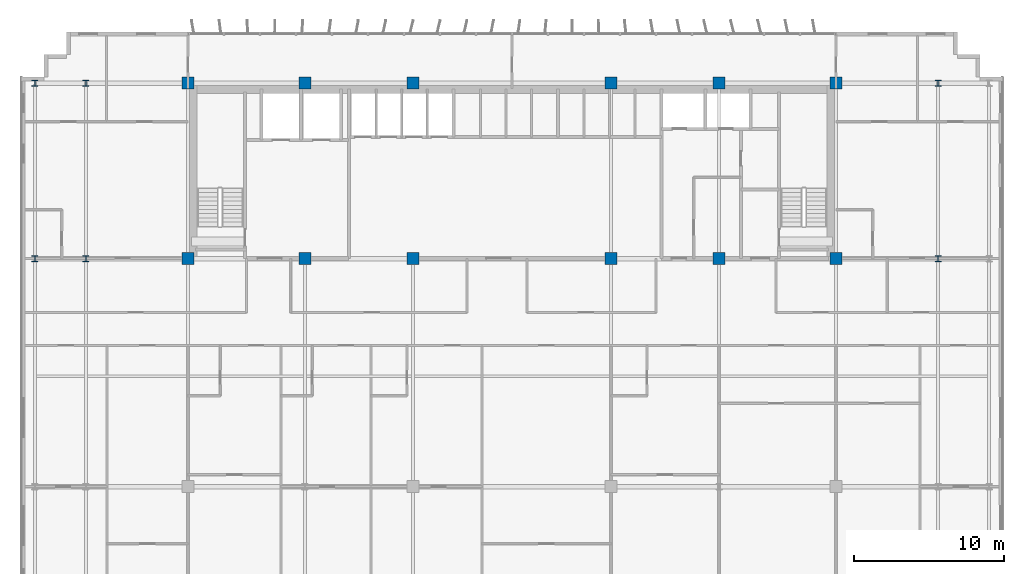
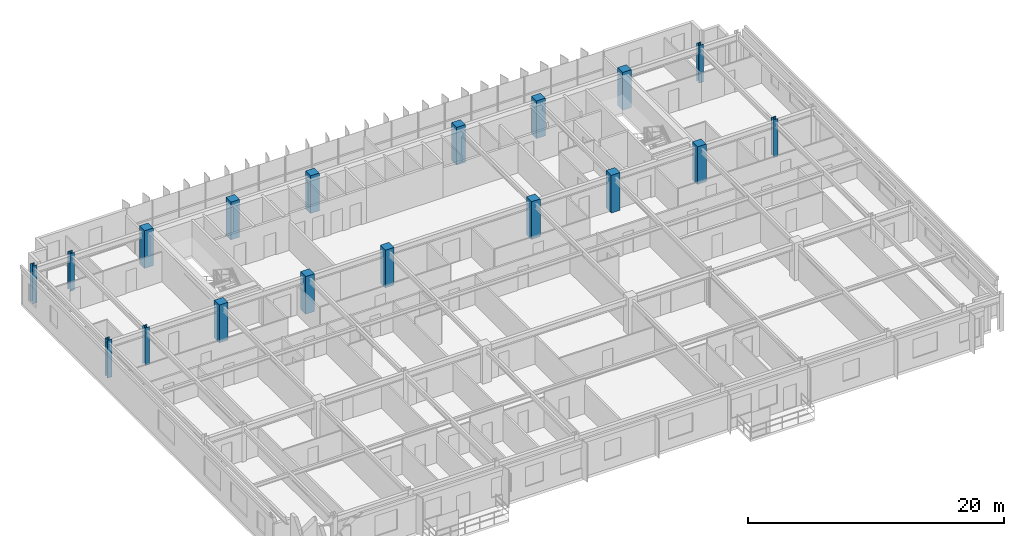
# One storey, part 2 of 22: 18 columns.
"""IFC4 building model written with IfcOpenShell, lengths in metres."""

from ifc_helpers import new_model, si_unit, direction, frame, origin, origin_2d, place, context, subcontext, project, spatial, rectangle, i_section, extrude, source, transform, mapped, material, material_profile, profile_set, type_object, element, save


model = new_model("IFC4")

# Units and contexts
model_context = context("Model", 3, precision=1e-05, world=origin(), true_north=direction((0.0, 1.0)))
body_context = subcontext(model_context, "Body", "Model", "MODEL_VIEW")
ifc_project = project(units=[si_unit("LENGTHUNIT", "METRE"), si_unit("AREAUNIT", "SQUARE_METRE"), si_unit("VOLUMEUNIT", "CUBIC_METRE"), si_unit("PLANEANGLEUNIT", "RADIAN"), si_unit("MASSUNIT", "GRAM", prefix="KILO")], contexts=[model_context])

# Site, building, storey
site_placement = place(None, origin())
site = spatial("IfcSite", under=ifc_project, at=site_placement, CompositionType="ELEMENT")
building_placement = place(site_placement, origin())
building = spatial("IfcBuilding", under=site, at=building_placement, Name="Trelvane Seafront Commons", CompositionType="ELEMENT")
storey_placement = place(building_placement, frame((0.0, 0.0, 117.699951171875)))
storey = spatial("IfcBuildingStorey", under=building, at=storey_placement, Name="L30", CompositionType="ELEMENT", Elevation=117.699951171875)

# Columns
ifc_material_1 = material(Name="Steel SM355 (S355)", Category="steel")
ifc_material_profile_1 = material_profile(ifc_material_1, i_section(OverallWidth=0.39990234375, OverallDepth=0.39990234375, WebThickness=0.02197265625, FlangeThickness=0.034912109375, at=origin_2d()), Name="HD-400x400x22x35")
ifc_profile_set_1 = profile_set([ifc_material_profile_1], Name="Steel SM355 (S355)")
column_type_1 = type_object("IfcColumnType", Name="STR-COL-HD400", PredefinedType="COLUMN", material=ifc_profile_set_1)
shared_shape_1 = source(origin(), body_context, "Body", "SweptSolid", [
    extrude(i_section(OverallWidth=0.39990234375, OverallDepth=0.39990234375, WebThickness=0.02197265625, FlangeThickness=0.034912109375, at=origin_2d()), origin(), (0.0, 0.0, 1.0), 3.60009765625),
])
for number, where, z_axis, x_axis, name in (
    (1, (5.39990234375, 33.39990234375, 0.0), (0.0, 0.0, 1.0), (1.0, 0.0, 0.0), "L30 Column TC-CS5.4"),
    (2, (5.39990234375, 45.10009765625, 0.0), (0.0, 0.0, 1.0), (1.0, 0.0, 0.0), "L30 Column TC-CN5.4"),
    (3, (8.800048828125, 33.39990234375, 0.0), (0.0, 0.0, 1.0), (1.0, 0.0, 0.0), "L30 Column TC-CS8.8"),
    (4, (8.800048828125, 45.10009765625, 0.0), (0.0, 0.0, 1.0), (1.0, 0.0, 0.0), "L30 Column TC-CN8.8"),
    (5, (65.60009765625, 33.39990234375, 0.0), (0.0, 0.0, 1.0), (1.0, 0.0, 0.0), "L30 Column TC-CS65.6"),
    (6, (65.60009765625, 45.10009765625, 0.0), (0.0, 0.0, 1.0), (1.0, 0.0, 0.0), "L30 Column TC-CN65.6"),
):
    element("IfcColumn", number, at=place(storey_placement, frame(where, z_axis=z_axis, x_axis=x_axis)), inside=storey, type_object=column_type_1, Name=name, PredefinedType="COLUMN", context=body_context, shape_type="MappedRepresentation", body=[
        mapped(shared_shape_1, transform((0.0, 0.0, 0.0), x_axis=(1.0, 0.0, 0.0), y_axis=(0.0, 1.0, 0.0), z_axis=(0.0, 0.0, 1.0), scale=1.0)),
    ])
ifc_material_2 = material(Name="Concrete C60/75", Category="concrete")
ifc_material_profile_2 = material_profile(ifc_material_2, rectangle(XDim=0.800048828125, YDim=0.800048828125, at=origin_2d()), Name="RC-800x800")
ifc_profile_set_2 = profile_set([ifc_material_profile_2], Name="Concrete C60/75")
column_type_2 = type_object("IfcColumnType", Name="STR-COL-RC800", PredefinedType="COLUMN", material=ifc_profile_set_2)
shared_shape_2 = source(origin(), body_context, "Body", "SweptSolid", [
    extrude(rectangle(XDim=0.800048828125, YDim=0.800048828125, at=origin_2d()), origin(), (0.0, 0.0, 1.0), 3.60009765625),
])
for number, where, z_axis, x_axis, name in (
    (7, (15.60009765625, 33.39990234375, 0.0), (0.0, 0.0, 1.0), (1.0, 0.0, 0.0), "L30 Column TC-CS15.6"),
    (8, (15.60009765625, 45.10009765625, 0.0), (0.0, 0.0, 1.0), (1.0, 0.0, 0.0), "L30 Column TC-CN15.6"),
    (9, (23.39990234375, 33.39990234375, 0.0), (0.0, 0.0, 1.0), (1.0, 0.0, 0.0), "L30 Column TC-CS23.4"),
    (10, (23.39990234375, 45.10009765625, 0.0), (0.0, 0.0, 1.0), (1.0, 0.0, 0.0), "L30 Column TC-CN23.4"),
    (11, (30.60009765625, 33.39990234375, 0.0), (0.0, 0.0, 1.0), (1.0, 0.0, 0.0), "L30 Column TC-CS30.6"),
    (12, (30.60009765625, 45.10009765625, 0.0), (0.0, 0.0, 1.0), (1.0, 0.0, 0.0), "L30 Column TC-CN30.6"),
    (13, (43.800048828125, 33.39990234375, 0.0), (0.0, 0.0, 1.0), (1.0, 0.0, 0.0), "L30 Column TC-CS43.8"),
    (14, (43.800048828125, 45.10009765625, 0.0), (0.0, 0.0, 1.0), (1.0, 0.0, 0.0), "L30 Column TC-CN43.8"),
    (15, (51.0, 33.39990234375, 0.0), (0.0, 0.0, 1.0), (1.0, 0.0, 0.0), "L30 Column TC-CS51.0"),
    (16, (51.0, 45.10009765625, 0.0), (0.0, 0.0, 1.0), (1.0, 0.0, 0.0), "L30 Column TC-CN51.0"),
    (17, (58.800048828125, 33.39990234375, 0.0), (0.0, 0.0, 1.0), (1.0, 0.0, 0.0), "L30 Column TC-CS58.8"),
    (18, (58.800048828125, 45.10009765625, 0.0), (0.0, 0.0, 1.0), (1.0, 0.0, 0.0), "L30 Column TC-CN58.8"),
):
    element("IfcColumn", number, at=place(storey_placement, frame(where, z_axis=z_axis, x_axis=x_axis)), inside=storey, type_object=column_type_2, Name=name, PredefinedType="COLUMN", context=body_context, shape_type="MappedRepresentation", body=[
        mapped(shared_shape_2, transform((0.0, 0.0, 0.0), x_axis=(1.0, 0.0, 0.0), y_axis=(0.0, 1.0, 0.0), z_axis=(0.0, 0.0, 1.0), scale=1.0)),
    ])

save(model, "model.ifc")
